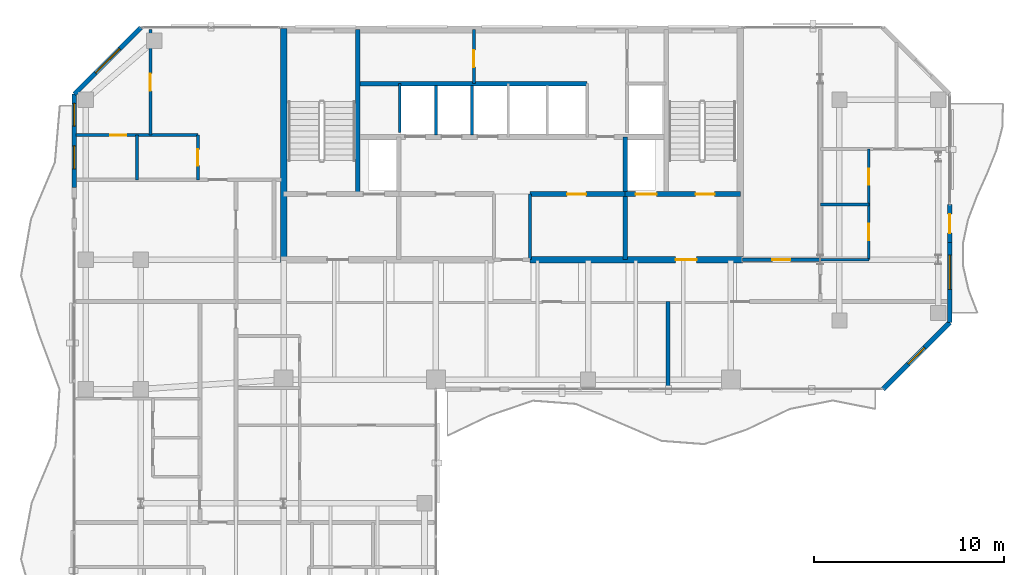
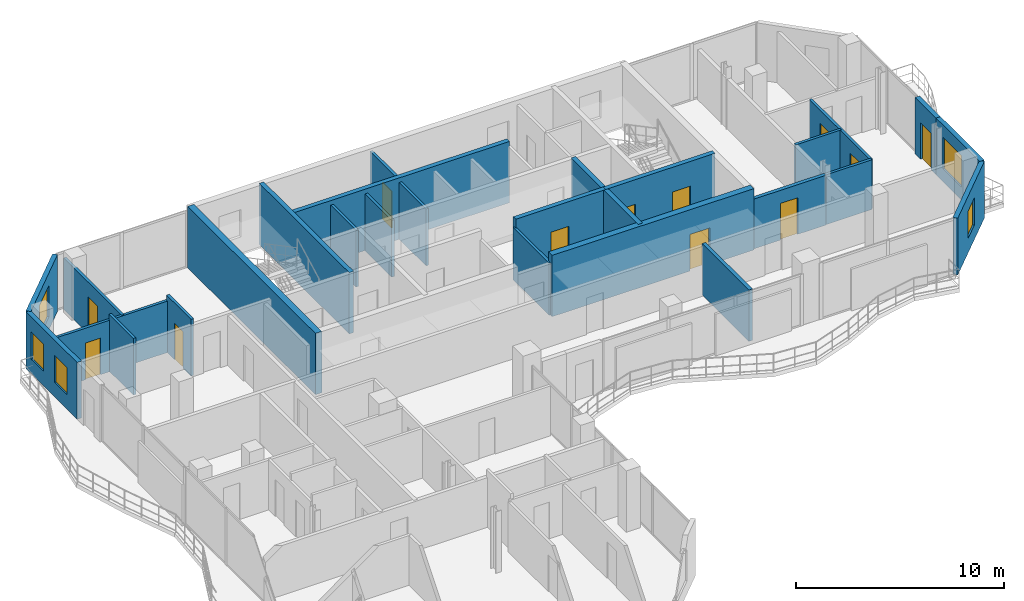
# One storey, part 19 of 23: 26 walls, 12 doors, 5 windows, 17 openings.
"""IFC4 building model written with IfcOpenShell, lengths in metres."""

from ifc_helpers import new_model, si_unit, direction, frame, frame_2d, origin, place, context, subcontext, project, spatial, rectangle, extrude, material, layer, layer_set, type_object, element, fill, save


model = new_model("IFC4")

# Units and contexts
model_context = context("Model", 3, precision=1e-05, world=origin(), true_north=direction((0.0, 1.0)))
body_context = subcontext(model_context, "Body", "Model", "MODEL_VIEW")
ifc_project = project(units=[si_unit("LENGTHUNIT", "METRE"), si_unit("AREAUNIT", "SQUARE_METRE"), si_unit("VOLUMEUNIT", "CUBIC_METRE"), si_unit("PLANEANGLEUNIT", "RADIAN"), si_unit("MASSUNIT", "GRAM", prefix="KILO")], contexts=[model_context])

# Site, building, storey
site_placement = place(None, origin())
site = spatial("IfcSite", under=ifc_project, at=site_placement, CompositionType="ELEMENT")
building_placement = place(site_placement, origin())
building = spatial("IfcBuilding", under=site, at=building_placement, Name="Catumbela Crestline Tower", CompositionType="ELEMENT")
storey_placement = place(building_placement, frame((0.0, 0.0, 168.6)))
storey = spatial("IfcBuildingStorey", under=building, at=storey_placement, Name="L43", CompositionType="ELEMENT", Elevation=168.6)

# Walls
ifc_material_1 = material(Name="Concrete C50/60", Category="concrete")
ifc_layer_1 = layer(ifc_material_1, 0.25, Name="Concrete C50/60")
ifc_layer_set_1 = layer_set([ifc_layer_1], Name="Concrete C50/60")
wall_type_1 = type_object("IfcWallType", Name="CW-250D", PredefinedType="SHEAR", material=ifc_layer_set_1)
wall_1_placement = place(storey_placement, frame((19.9, 34.25, 0.0), z_axis=(0.0, 0.0, 1.0), x_axis=(0.0, 1.0, 0.0)))
element("IfcWall", 1, at=wall_1_placement, inside=storey, type_object=wall_type_1, Name="L43 Structural Core Shear Wall WWEB", PredefinedType="SHEAR", context=body_context, shape_type="SweptSolid", body=[
    extrude(rectangle(XDim=8.65, YDim=0.25, at=frame_2d((4.325, 0.0))), origin(), (0.0, 0.0, 1.0), 3.6),
])
wall_2_placement = place(storey_placement, frame((33.95, 30.8, 0.0), z_axis=(0.0, 0.0, 1.0), x_axis=(0.0, 1.0, 0.0)))
element("IfcWall", 2, at=wall_2_placement, inside=storey, type_object=wall_type_1, Name="L43 Structural Core Shear Wall FFE", PredefinedType="SHEAR", context=body_context, shape_type="SweptSolid", body=[
    extrude(rectangle(XDim=6.45, YDim=0.25, at=frame_2d((3.225, 0.0))), origin(), (0.0, 0.0, 1.0), 3.6),
])

# Wall, openings, doors
wall_3_placement = place(storey_placement, frame((33.95, 34.25, 0.0), z_axis=(0.0, 0.0, 1.0), x_axis=(1.0, 0.0, 0.0)))
wall_3 = element("IfcWall", 3, at=wall_3_placement, inside=storey, type_object=wall_type_1, Name="L43 Structural Core Shear Wall ST2S", PredefinedType="SHEAR", context=body_context, shape_type="SweptSolid", body=[
    extrude(rectangle(XDim=6.05, YDim=0.25, at=frame_2d((3.025, 0.0))), origin(), (0.0, 0.0, 1.0), 3.6),
])
opening_1_placement = place(wall_3_placement, frame((3.7, 0.0, 0.0)))
opening_1 = element("IfcOpeningElement", 4, at=opening_1_placement, cuts=wall_3, Name="Opening DF9-100", PredefinedType="OPENING", context=body_context, shape_type="SweptSolid", body=[
    extrude(rectangle(XDim=1.0, YDim=2.15, at=frame_2d((0.5, 1.075))), frame((0.0, 0.135, 0.0), z_axis=(0.0, -1.0, 0.0), x_axis=(1.0, 0.0, 0.0)), (0.0, 0.0, 1.0), 0.27),
])
opening_2_placement = place(wall_3_placement, frame((0.55, 0.0, 0.0)))
opening_2 = element("IfcOpeningElement", 5, at=opening_2_placement, cuts=wall_3, Name="Opening LD-110", PredefinedType="OPENING", context=body_context, shape_type="SweptSolid", body=[
    extrude(rectangle(XDim=1.1, YDim=2.15, at=frame_2d((0.55, 1.075))), frame((0.0, 0.135, 0.0), z_axis=(0.0, -1.0, 0.0), x_axis=(1.0, 0.0, 0.0)), (0.0, 0.0, 1.0), 0.27),
])
ifc_material_2 = material(Name="Stainless steel EN 1.4401", Category="steel")
door_type_1 = type_object("IfcDoorType", Name="DF9-100", OperationType="NOTDEFINED", PredefinedType="DOOR", material=ifc_material_2)
door_1_placement = place(opening_1_placement, origin())
door_1 = element("IfcDoor", 6, at=door_1_placement, inside=storey, type_object=door_type_1, Name="L43 Interior Door DR-L43-ST02", OperationType="SINGLE_SWING_RIGHT", OverallHeight=2.15, OverallWidth=1.0, PredefinedType="DOOR", context=body_context, shape_type="SweptSolid", body=[
    extrude(rectangle(XDim=1.0, YDim=2.15, at=frame_2d((0.5, 1.075))), frame((0.0, 0.025, 0.0), z_axis=(0.0, -1.0, 0.0), x_axis=(1.0, 0.0, 0.0)), (0.0, 0.0, 1.0), 0.05),
])
fill(opening_1, door_1)
door_type_2 = type_object("IfcDoorType", Name="LD-110", OperationType="NOTDEFINED", PredefinedType="DOOR", material=ifc_material_2)
door_2_placement = place(opening_2_placement, origin())
door_2 = element("IfcDoor", 7, at=door_2_placement, inside=storey, type_object=door_type_2, Name="L43 Lift Landing Sliding Door FL-02", OperationType="DOUBLE_DOOR_SLIDING", OverallHeight=2.15, OverallWidth=1.1, PredefinedType="DOOR", context=body_context, shape_type="SweptSolid", body=[
    extrude(rectangle(XDim=1.1, YDim=2.15, at=frame_2d((0.55, 1.075))), frame((0.0, 0.025, 0.0), z_axis=(0.0, -1.0, 0.0), x_axis=(1.0, 0.0, 0.0)), (0.0, 0.0, 1.0), 0.05),
])
fill(opening_2, door_2)

# Wall, opening, door
wall_4_placement = place(storey_placement, frame((28.95, 34.25, 0.0), z_axis=(0.0, 0.0, 1.0), x_axis=(1.0, 0.0, 0.0)))
wall_4 = element("IfcWall", 8, at=wall_4_placement, inside=storey, type_object=wall_type_1, Name="L43 Structural Core Shear Wall LIFTS-E", PredefinedType="SHEAR", context=body_context, shape_type="SweptSolid", body=[
    extrude(rectangle(XDim=5.0, YDim=0.25, at=frame_2d((2.5, 0.0))), origin(), (0.0, 0.0, 1.0), 3.6),
])
opening_3_placement = place(wall_4_placement, frame((1.95, 0.0, 0.0)))
opening_3 = element("IfcOpeningElement", 9, at=opening_3_placement, cuts=wall_4, Name="Opening DF9-100", PredefinedType="OPENING", context=body_context, shape_type="SweptSolid", body=[
    extrude(rectangle(XDim=1.0, YDim=2.15, at=frame_2d((0.5, 1.075))), frame((0.0, 0.135, 0.0), z_axis=(0.0, -1.0, 0.0), x_axis=(1.0, 0.0, 0.0)), (0.0, 0.0, 1.0), 0.27),
])
door_3_placement = place(opening_3_placement, origin())
door_3 = element("IfcDoor", 10, at=door_3_placement, inside=storey, type_object=door_type_1, Name="L43 Interior Door DR-L43-RECL2", OperationType="SINGLE_SWING_RIGHT", OverallHeight=2.15, OverallWidth=1.0, PredefinedType="DOOR", context=body_context, shape_type="SweptSolid", body=[
    extrude(rectangle(XDim=1.0, YDim=2.15, at=frame_2d((0.5, 1.075))), frame((0.0, 0.025, 0.0), z_axis=(0.0, -1.0, 0.0), x_axis=(1.0, 0.0, 0.0)), (0.0, 0.0, 1.0), 0.05),
])
fill(opening_3, door_3)

# Walls
wall_5_placement = place(storey_placement, frame((19.9, 40.05, 0.0), z_axis=(0.0, 0.0, 1.0), x_axis=(1.0, 0.0, 0.0)))
element("IfcWall", 11, at=wall_5_placement, inside=storey, type_object=wall_type_1, Name="L43 Structural Core Shear Wall COREN", PredefinedType="SHEAR", context=body_context, shape_type="SweptSolid", body=[
    extrude(rectangle(XDim=12.05, YDim=0.25, at=frame_2d((6.025, 0.0))), origin(), (0.0, 0.0, 1.0), 3.6),
])
ifc_layer_2 = layer(ifc_material_1, 0.35, Name="Concrete C50/60")
ifc_layer_set_2 = layer_set([ifc_layer_2], Name="Concrete C50/60")
wall_type_2 = type_object("IfcWallType", Name="CW-350B", PredefinedType="SHEAR", material=ifc_layer_set_2)
wall_6_placement = place(storey_placement, frame((16.0, 30.65, 0.0), z_axis=(0.0, 0.0, 1.0), x_axis=(0.0, 1.0, 0.0)))
element("IfcWall", 12, at=wall_6_placement, inside=storey, type_object=wall_type_2, Name="L43 Structural Core Shear Wall W", PredefinedType="SHEAR", context=body_context, shape_type="SweptSolid", body=[
    extrude(rectangle(XDim=12.3, YDim=0.35, at=frame_2d((6.15, 0.0))), origin(), (0.0, 0.0, 1.0), 3.6),
])

# Wall, opening, door
wall_7_placement = place(storey_placement, frame((28.95, 30.8, 0.0), z_axis=(0.0, 0.0, 1.0), x_axis=(1.0, 0.0, 0.0)))
wall_7 = element("IfcWall", 13, at=wall_7_placement, inside=storey, type_object=wall_type_2, Name="L43 Structural Core Shear Wall SE", PredefinedType="SHEAR", context=body_context, shape_type="SweptSolid", body=[
    extrude(rectangle(XDim=11.2, YDim=0.35, at=frame_2d((5.6, 0.0))), origin(), (0.0, 0.0, 1.0), 3.6),
])
opening_4_placement = place(wall_7_placement, frame((7.65, 0.0, 0.0)))
opening_4 = element("IfcOpeningElement", 14, at=opening_4_placement, cuts=wall_7, Name="Opening DF9-110", PredefinedType="OPENING", context=body_context, shape_type="SweptSolid", body=[
    extrude(rectangle(XDim=1.1, YDim=2.15, at=frame_2d((0.55, 1.075))), frame((0.0, 0.185, 0.0), z_axis=(0.0, -1.0, 0.0), x_axis=(1.0, 0.0, 0.0)), (0.0, 0.0, 1.0), 0.37),
])
door_type_3 = type_object("IfcDoorType", Name="DF9-110", OperationType="NOTDEFINED", PredefinedType="DOOR", material=ifc_material_2)
door_4_placement = place(opening_4_placement, origin())
door_4 = element("IfcDoor", 15, at=door_4_placement, inside=storey, type_object=door_type_3, Name="L43 Interior Door DR-L43-FFE-S", OperationType="SINGLE_SWING_RIGHT", OverallHeight=2.15, OverallWidth=1.1, PredefinedType="DOOR", context=body_context, shape_type="SweptSolid", body=[
    extrude(rectangle(XDim=1.1, YDim=2.15, at=frame_2d((0.55, 1.075))), frame((0.0, 0.025, 0.0), z_axis=(0.0, -1.0, 0.0), x_axis=(1.0, 0.0, 0.0)), (0.0, 0.0, 1.0), 0.05),
])
fill(opening_4, door_4)

ifc_material_3 = material(Name="Acoustic gypsum and mineral-wool partition")
ifc_layer_3 = layer(ifc_material_3, 0.2, Name="Acoustic gypsum and mineral-wool partition")
ifc_layer_set_3 = layer_set([ifc_layer_3], Name="Acoustic gypsum and mineral-wool partition")
wall_type_3 = type_object("IfcWallType", Name="WC-200", PredefinedType="PARTITIONING", material=ifc_layer_set_3)
wall_8_placement = place(storey_placement, frame((40.1, 30.8, 0.0), z_axis=(0.0, 0.0, 1.0), x_axis=(1.0, 0.0, 0.0)))
wall_8 = element("IfcWall", 16, at=wall_8_placement, inside=storey, type_object=wall_type_3, Name="L43 Interior Partition PW-L43-NERM-ENT", PredefinedType="PARTITIONING", context=body_context, shape_type="SweptSolid", body=[
    extrude(rectangle(XDim=4.1, YDim=0.2, at=frame_2d((2.05, 0.0))), origin(), (0.0, 0.0, 1.0), 2.92),
])
opening_5_placement = place(wall_8_placement, frame((1.575, 0.0, 0.0)))
opening_5 = element("IfcOpeningElement", 17, at=opening_5_placement, cuts=wall_8, Name="Opening DF6-095", PredefinedType="OPENING", context=body_context, shape_type="SweptSolid", body=[
    extrude(rectangle(XDim=0.95, YDim=2.15, at=frame_2d((0.475, 1.075))), frame((0.0, 0.11, 0.0), z_axis=(0.0, -1.0, 0.0), x_axis=(1.0, 0.0, 0.0)), (0.0, 0.0, 1.0), 0.22),
])
ifc_material_4 = material(Name="Aluminium alloy AW-6060-T66", Category="aluminium")
door_type_4 = type_object("IfcDoorType", Name="DF6-095", OperationType="NOTDEFINED", PredefinedType="DOOR", material=ifc_material_4)
door_5_placement = place(opening_5_placement, origin())
door_5 = element("IfcDoor", 18, at=door_5_placement, inside=storey, type_object=door_type_4, Name="L43 Interior Door DR-L43-NERM-ENT", OperationType="SINGLE_SWING_LEFT", OverallHeight=2.15, OverallWidth=0.95, PredefinedType="DOOR", context=body_context, shape_type="SweptSolid", body=[
    extrude(rectangle(XDim=0.95, YDim=2.15, at=frame_2d((0.475, 1.075))), frame((0.0, 0.025, 0.0), z_axis=(0.0, -1.0, 0.0), x_axis=(1.0, 0.0, 0.0)), (0.0, 0.0, 1.0), 0.05),
])
fill(opening_5, door_5)

# Wall, opening, window
ifc_material_5 = material(Name="Angolan grey-ochre granite", Category="masonry")
ifc_layer_4 = layer(ifc_material_5, 0.25, Name="Angolan grey-ochre granite")
ifc_layer_set_4 = layer_set([ifc_layer_4], Name="Angolan grey-ochre granite")
wall_type_4 = type_object("IfcWallType", Name="WE-250", PredefinedType="STANDARD", material=ifc_layer_set_4)
wall_9_placement = place(storey_placement, frame((47.5, 24.0, 0.0), z_axis=(0.0, 0.0, 1.0), x_axis=(0.707106781187, 0.707106781187, 0.0)))
wall_9 = element("IfcWall", 19, at=wall_9_placement, inside=storey, type_object=wall_type_4, Name="L43 Granite Punched Window Wall 4-1", PredefinedType="STANDARD", context=body_context, shape_type="SweptSolid", body=[
    extrude(rectangle(XDim=4.9497, YDim=0.25, at=frame_2d((2.4748, 0.0))), origin(), (0.0, 0.0, 1.0), 3.33),
])
opening_6_placement = place(wall_9_placement, frame((1.8748, 0.0, 0.85)))
opening_6 = element("IfcOpeningElement", 20, at=opening_6_placement, cuts=wall_9, Name="Opening WN-02", PredefinedType="OPENING", context=body_context, shape_type="SweptSolid", body=[
    extrude(rectangle(XDim=1.2, YDim=1.6, at=frame_2d((0.6, 0.8))), frame((0.0, 0.135, 0.0), z_axis=(0.0, -1.0, 0.0), x_axis=(1.0, 0.0, 0.0)), (0.0, 0.0, 1.0), 0.27),
])
ifc_material_6 = material(Name="Low-E laminated solar-control double glazing", Category="glass")
window_type_1 = type_object("IfcWindowType", Name="WO-1200", PartitioningType="SINGLE_PANEL", PredefinedType="WINDOW", material=ifc_material_6)
window_1_placement = place(opening_6_placement, origin())
window_1 = element("IfcWindow", 21, at=window_1_placement, inside=storey, type_object=window_type_1, Name="L43 Facade Vision Window 258", OverallHeight=1.6, OverallWidth=1.2, PartitioningType="SINGLE_PANEL", PredefinedType="WINDOW", context=body_context, shape_type="SweptSolid", body=[
    extrude(rectangle(XDim=1.2, YDim=1.6, at=frame_2d((0.6, 0.8))), frame((0.0, 0.03, 0.0), z_axis=(0.0, -1.0, 0.0), x_axis=(1.0, 0.0, 0.0)), (0.0, 0.0, 1.0), 0.06),
])
fill(opening_6, window_1)

# Wall, opening, door
wall_10_placement = place(storey_placement, frame((51.0, 31.7, 0.0), z_axis=(0.0, 0.0, 1.0), x_axis=(0.0, 1.0, 0.0)))
wall_10 = element("IfcWall", 22, at=wall_10_placement, inside=storey, type_object=wall_type_4, Name="L43 Exterior Threshold Portal Wall DR-L43-WBAL-2", PredefinedType="STANDARD", context=body_context, shape_type="SweptSolid", body=[
    extrude(rectangle(XDim=2.0, YDim=0.25, at=frame_2d((1.0, 0.0))), origin(), (0.0, 0.0, 1.0), 3.33),
])
opening_7_placement = place(wall_10_placement, frame((0.5, 0.0, 0.0)))
opening_7 = element("IfcOpeningElement", 23, at=opening_7_placement, cuts=wall_10, Name="Opening DB-L43-2", PredefinedType="OPENING", context=body_context, shape_type="SweptSolid", body=[
    extrude(rectangle(XDim=1.0, YDim=2.15, at=frame_2d((0.5, 1.075))), frame((0.0, 0.135, 0.0), z_axis=(0.0, -1.0, 0.0), x_axis=(1.0, 0.0, 0.0)), (0.0, 0.0, 1.0), 0.27),
])
door_type_5 = type_object("IfcDoorType", Name="DB-1000", OperationType="NOTDEFINED", PredefinedType="DOOR", material=ifc_material_4)
door_6_placement = place(opening_7_placement, origin())
door_6 = element("IfcDoor", 24, at=door_6_placement, inside=storey, type_object=door_type_5, Name="L43 Wave Balcony Terrace Door 2", OperationType="SINGLE_SWING_RIGHT", OverallHeight=2.15, OverallWidth=1.0, PredefinedType="DOOR", context=body_context, shape_type="SweptSolid", body=[
    extrude(rectangle(XDim=1.0, YDim=2.15, at=frame_2d((0.5, 1.075))), frame((0.0, 0.025, 0.0), z_axis=(0.0, -1.0, 0.0), x_axis=(1.0, 0.0, 0.0)), (0.0, 0.0, 1.0), 0.05),
])
fill(opening_7, door_6)

# Wall, opening, window
wall_11_placement = place(storey_placement, frame((51.0, 27.5, 0.0), z_axis=(0.0, 0.0, 1.0), x_axis=(0.0, 1.0, 0.0)))
wall_11 = element("IfcWall", 25, at=wall_11_placement, inside=storey, type_object=wall_type_4, Name="L43 Granite Punched Window Wall 5-1", PredefinedType="STANDARD", context=body_context, shape_type="SweptSolid", body=[
    extrude(rectangle(XDim=4.2, YDim=0.25, at=frame_2d((2.1, 0.0))), origin(), (0.0, 0.0, 1.0), 3.33),
])
opening_8_placement = place(wall_11_placement, frame((1.74, 0.0, 0.75)))
opening_8 = element("IfcOpeningElement", 26, at=opening_8_placement, cuts=wall_11, Name="Opening WN-01", PredefinedType="OPENING", context=body_context, shape_type="SweptSolid", body=[
    extrude(rectangle(XDim=1.8, YDim=1.85, at=frame_2d((0.9, 0.925))), frame((0.0, 0.135, 0.0), z_axis=(0.0, -1.0, 0.0), x_axis=(1.0, 0.0, 0.0)), (0.0, 0.0, 1.0), 0.27),
])
window_type_2 = type_object("IfcWindowType", Name="WF-1800", PartitioningType="SINGLE_PANEL", PredefinedType="WINDOW", material=ifc_material_6)
window_2_placement = place(opening_8_placement, origin())
window_2 = element("IfcWindow", 27, at=window_2_placement, inside=storey, type_object=window_type_2, Name="L43 Facade Vision Window 259", OverallHeight=1.85, OverallWidth=1.8, PartitioningType="SINGLE_PANEL", PredefinedType="WINDOW", context=body_context, shape_type="SweptSolid", body=[
    extrude(rectangle(XDim=1.8, YDim=1.85, at=frame_2d((0.9, 0.925))), frame((0.0, 0.03, 0.0), z_axis=(0.0, -1.0, 0.0), x_axis=(1.0, 0.0, 0.0)), (0.0, 0.0, 1.0), 0.06),
])
fill(opening_8, window_2)

wall_12_placement = place(storey_placement, frame((8.5, 43.0, 0.0), z_axis=(0.0, 0.0, 1.0), x_axis=(-0.707106781187, -0.707106781187, 0.0)))
wall_12 = element("IfcWall", 28, at=wall_12_placement, inside=storey, type_object=wall_type_4, Name="L43 Granite Punched Window Wall 8-1", PredefinedType="STANDARD", context=body_context, shape_type="SweptSolid", body=[
    extrude(rectangle(XDim=4.9497, YDim=0.25, at=frame_2d((2.4748, 0.0))), origin(), (0.0, 0.0, 1.0), 3.33),
])
opening_9_placement = place(wall_12_placement, frame((1.5749, 0.0, 0.75)))
opening_9 = element("IfcOpeningElement", 29, at=opening_9_placement, cuts=wall_12, Name="Opening WN-01", PredefinedType="OPENING", context=body_context, shape_type="SweptSolid", body=[
    extrude(rectangle(XDim=1.8, YDim=1.85, at=frame_2d((0.9, 0.925))), frame((0.0, 0.135, 0.0), z_axis=(0.0, -1.0, 0.0), x_axis=(1.0, 0.0, 0.0)), (0.0, 0.0, 1.0), 0.27),
])
window_3_placement = place(opening_9_placement, origin())
window_3 = element("IfcWindow", 30, at=window_3_placement, inside=storey, type_object=window_type_2, Name="L43 Facade Vision Window 261", OverallHeight=1.85, OverallWidth=1.8, PartitioningType="SINGLE_PANEL", PredefinedType="WINDOW", context=body_context, shape_type="SweptSolid", body=[
    extrude(rectangle(XDim=1.8, YDim=1.85, at=frame_2d((0.9, 0.925))), frame((0.0, 0.03, 0.0), z_axis=(0.0, -1.0, 0.0), x_axis=(1.0, 0.0, 0.0)), (0.0, 0.0, 1.0), 0.06),
])
fill(opening_9, window_3)

# Wall, openings, windows
wall_13_placement = place(storey_placement, frame((5.0, 39.5, 0.0), z_axis=(0.0, 0.0, 1.0), x_axis=(0.0, -1.0, 0.0)))
wall_13 = element("IfcWall", 31, at=wall_13_placement, inside=storey, type_object=wall_type_4, Name="L43 Granite Punched Window Wall 9-1", PredefinedType="STANDARD", context=body_context, shape_type="SweptSolid", body=[
    extrude(rectangle(XDim=4.9, YDim=0.25, at=frame_2d((2.45, 0.0))), origin(), (0.0, 0.0, 1.0), 3.33),
])
opening_10_placement = place(wall_13_placement, frame((0.485, 0.0, 0.85)))
opening_10 = element("IfcOpeningElement", 32, at=opening_10_placement, cuts=wall_13, Name="Opening WN-02", PredefinedType="OPENING", context=body_context, shape_type="SweptSolid", body=[
    extrude(rectangle(XDim=1.2, YDim=1.6, at=frame_2d((0.6, 0.8))), frame((0.0, 0.135, 0.0), z_axis=(0.0, -1.0, 0.0), x_axis=(1.0, 0.0, 0.0)), (0.0, 0.0, 1.0), 0.27),
])
opening_11_placement = place(wall_13_placement, frame((2.725, 0.0, 0.85)))
opening_11 = element("IfcOpeningElement", 33, at=opening_11_placement, cuts=wall_13, Name="Opening WN-02", PredefinedType="OPENING", context=body_context, shape_type="SweptSolid", body=[
    extrude(rectangle(XDim=1.2, YDim=1.6, at=frame_2d((0.6, 0.8))), frame((0.0, 0.135, 0.0), z_axis=(0.0, -1.0, 0.0), x_axis=(1.0, 0.0, 0.0)), (0.0, 0.0, 1.0), 0.27),
])
window_4_placement = place(opening_10_placement, origin())
window_4 = element("IfcWindow", 34, at=window_4_placement, inside=storey, type_object=window_type_1, Name="L43 Facade Vision Window 262", OverallHeight=1.6, OverallWidth=1.2, PartitioningType="SINGLE_PANEL", PredefinedType="WINDOW", context=body_context, shape_type="SweptSolid", body=[
    extrude(rectangle(XDim=1.2, YDim=1.6, at=frame_2d((0.6, 0.8))), frame((0.0, 0.03, 0.0), z_axis=(0.0, -1.0, 0.0), x_axis=(1.0, 0.0, 0.0)), (0.0, 0.0, 1.0), 0.06),
])
fill(opening_10, window_4)
window_5_placement = place(opening_11_placement, origin())
window_5 = element("IfcWindow", 35, at=window_5_placement, inside=storey, type_object=window_type_1, Name="L43 Facade Vision Window 263", OverallHeight=1.6, OverallWidth=1.2, PartitioningType="SINGLE_PANEL", PredefinedType="WINDOW", context=body_context, shape_type="SweptSolid", body=[
    extrude(rectangle(XDim=1.2, YDim=1.6, at=frame_2d((0.6, 0.8))), frame((0.0, 0.03, 0.0), z_axis=(0.0, -1.0, 0.0), x_axis=(1.0, 0.0, 0.0)), (0.0, 0.0, 1.0), 0.06),
])
fill(opening_11, window_5)

# Wall, opening, door
ifc_layer_5 = layer(ifc_material_3, 0.15, Name="Acoustic gypsum and mineral-wool partition")
ifc_layer_set_5 = layer_set([ifc_layer_5], Name="Acoustic gypsum and mineral-wool partition")
wall_type_5 = type_object("IfcWallType", Name="WP-150", PredefinedType="PARTITIONING", material=ifc_layer_set_5)
wall_14_placement = place(storey_placement, frame((26.0, 40.05, 0.0), z_axis=(0.0, 0.0, 1.0), x_axis=(0.0, 1.0, 0.0)))
wall_14 = element("IfcWall", 36, at=wall_14_placement, inside=storey, type_object=wall_type_5, Name="L43 Interior Partition PW-L43-CR-WW", PredefinedType="PARTITIONING", context=body_context, shape_type="SweptSolid", body=[
    extrude(rectangle(XDim=2.85, YDim=0.15, at=frame_2d((1.425, 0.0))), origin(), (0.0, 0.0, 1.0), 3.33),
])
opening_12_placement = place(wall_14_placement, frame((0.865, 0.0, 0.0)))
opening_12 = element("IfcOpeningElement", 37, at=opening_12_placement, cuts=wall_14, Name="Opening DF9-090", PredefinedType="OPENING", context=body_context, shape_type="SweptSolid", body=[
    extrude(rectangle(XDim=0.9, YDim=2.15, at=frame_2d((0.45, 1.075))), frame((0.0, 0.085, 0.0), z_axis=(0.0, -1.0, 0.0), x_axis=(1.0, 0.0, 0.0)), (0.0, 0.0, 1.0), 0.17),
])
door_type_6 = type_object("IfcDoorType", Name="DF9-090", OperationType="NOTDEFINED", PredefinedType="DOOR", material=ifc_material_2)
door_7_placement = place(opening_12_placement, origin())
door_7 = element("IfcDoor", 38, at=door_7_placement, inside=storey, type_object=door_type_6, Name="L43 Interior Door DR-L43-CRWEST", OperationType="SINGLE_SWING_LEFT", OverallHeight=2.15, OverallWidth=0.9, PredefinedType="DOOR", context=body_context, shape_type="SweptSolid", body=[
    extrude(rectangle(XDim=0.9, YDim=2.15, at=frame_2d((0.45, 1.075))), frame((0.0, 0.025, 0.0), z_axis=(0.0, -1.0, 0.0), x_axis=(1.0, 0.0, 0.0)), (0.0, 0.0, 1.0), 0.05),
])
fill(opening_12, door_7)

wall_15_placement = place(storey_placement, frame((11.5, 35.0, 0.0), z_axis=(0.0, 0.0, 1.0), x_axis=(0.0, 1.0, 0.0)))
wall_15 = element("IfcWall", 39, at=wall_15_placement, inside=storey, type_object=wall_type_5, Name="L43 Interior Partition PW-L43-NW1-KBE", PredefinedType="PARTITIONING", context=body_context, shape_type="SweptSolid", body=[
    extrude(rectangle(XDim=2.35, YDim=0.15, at=frame_2d((1.175, 0.0))), origin(), (0.0, 0.0, 1.0), 3.33),
])
opening_13_placement = place(wall_15_placement, frame((0.75, 0.0, 0.0)))
opening_13 = element("IfcOpeningElement", 40, at=opening_13_placement, cuts=wall_15, Name="Opening DI-085", PredefinedType="OPENING", context=body_context, shape_type="SweptSolid", body=[
    extrude(rectangle(XDim=0.85, YDim=2.15, at=frame_2d((0.425, 1.075))), frame((0.0, 0.085, 0.0), z_axis=(0.0, -1.0, 0.0), x_axis=(1.0, 0.0, 0.0)), (0.0, 0.0, 1.0), 0.17),
])
door_type_7 = type_object("IfcDoorType", Name="DI-085", OperationType="NOTDEFINED", PredefinedType="DOOR", material=ifc_material_4)
door_8_placement = place(opening_13_placement, origin())
door_8 = element("IfcDoor", 41, at=door_8_placement, inside=storey, type_object=door_type_7, Name="L43 Interior Door DR-L43-NW1-BTH", OperationType="SINGLE_SWING_LEFT", OverallHeight=2.15, OverallWidth=0.85, PredefinedType="DOOR", context=body_context, shape_type="SweptSolid", body=[
    extrude(rectangle(XDim=0.85, YDim=2.15, at=frame_2d((0.425, 1.075))), frame((0.0, 0.025, 0.0), z_axis=(0.0, -1.0, 0.0), x_axis=(1.0, 0.0, 0.0)), (0.0, 0.0, 1.0), 0.05),
])
fill(opening_13, door_8)

# Wall
wall_16_placement = place(storey_placement, frame((8.3, 35.0, 0.0), z_axis=(0.0, 0.0, 1.0), x_axis=(0.0, 1.0, 0.0)))
element("IfcWall", 42, at=wall_16_placement, inside=storey, type_object=wall_type_5, Name="L43 Interior Partition PW-L43-NW1-KBM", PredefinedType="PARTITIONING", context=body_context, shape_type="SweptSolid", body=[
    extrude(rectangle(XDim=2.35, YDim=0.15, at=frame_2d((1.175, 0.0))), origin(), (0.0, 0.0, 1.0), 3.33),
])

# Wall, opening, door
wall_17_placement = place(storey_placement, frame((5.1, 37.35, 0.0), z_axis=(0.0, 0.0, 1.0), x_axis=(1.0, 0.0, 0.0)))
wall_17 = element("IfcWall", 43, at=wall_17_placement, inside=storey, type_object=wall_type_5, Name="L43 Interior Partition PW-L43-NW1-KBD1", PredefinedType="PARTITIONING", context=body_context, shape_type="SweptSolid", body=[
    extrude(rectangle(XDim=6.4, YDim=0.15, at=frame_2d((3.2, 0.0))), origin(), (0.0, 0.0, 1.0), 3.02),
])
opening_14_placement = place(wall_17_placement, frame((1.7795, 0.0, 0.0)))
opening_14 = element("IfcOpeningElement", 44, at=opening_14_placement, cuts=wall_17, Name="Opening DI-085", PredefinedType="OPENING", context=body_context, shape_type="SweptSolid", body=[
    extrude(rectangle(XDim=0.85, YDim=2.15, at=frame_2d((0.425, 1.075))), frame((0.0, 0.085, 0.0), z_axis=(0.0, -1.0, 0.0), x_axis=(1.0, 0.0, 0.0)), (0.0, 0.0, 1.0), 0.17),
])
door_9_placement = place(opening_14_placement, origin())
door_9 = element("IfcDoor", 45, at=door_9_placement, inside=storey, type_object=door_type_7, Name="L43 Interior Door DR-L43-NW1-KIT", OperationType="SINGLE_SWING_LEFT", OverallHeight=2.15, OverallWidth=0.85, PredefinedType="DOOR", context=body_context, shape_type="SweptSolid", body=[
    extrude(rectangle(XDim=0.85, YDim=2.15, at=frame_2d((0.425, 1.075))), frame((0.0, 0.025, 0.0), z_axis=(0.0, -1.0, 0.0), x_axis=(1.0, 0.0, 0.0)), (0.0, 0.0, 1.0), 0.05),
])
fill(opening_14, door_9)

wall_18_placement = place(storey_placement, frame((9.0, 37.35, 0.0), z_axis=(0.0, 0.0, 1.0), x_axis=(0.0, 1.0, 0.0)))
wall_18 = element("IfcWall", 46, at=wall_18_placement, inside=storey, type_object=wall_type_5, Name="L43 Interior Partition PW-L43-NW1-BD1W", PredefinedType="PARTITIONING", context=body_context, shape_type="SweptSolid", body=[
    extrude(rectangle(XDim=5.55, YDim=0.15, at=frame_2d((2.775, 0.0))), origin(), (0.0, 0.0, 1.0), 3.02),
])
opening_15_placement = place(wall_18_placement, frame((2.325, 0.0, 0.0)))
opening_15 = element("IfcOpeningElement", 47, at=opening_15_placement, cuts=wall_18, Name="Opening DI-090", PredefinedType="OPENING", context=body_context, shape_type="SweptSolid", body=[
    extrude(rectangle(XDim=0.9, YDim=2.15, at=frame_2d((0.45, 1.075))), frame((0.0, 0.085, 0.0), z_axis=(0.0, -1.0, 0.0), x_axis=(1.0, 0.0, 0.0)), (0.0, 0.0, 1.0), 0.17),
])
door_type_8 = type_object("IfcDoorType", Name="DI-090", OperationType="NOTDEFINED", PredefinedType="DOOR", material=ifc_material_4)
door_10_placement = place(opening_15_placement, origin())
door_10 = element("IfcDoor", 48, at=door_10_placement, inside=storey, type_object=door_type_8, Name="L43 Interior Door DR-L43-NW1-BD1", OperationType="SINGLE_SWING_LEFT", OverallHeight=2.15, OverallWidth=0.9, PredefinedType="DOOR", context=body_context, shape_type="SweptSolid", body=[
    extrude(rectangle(XDim=0.9, YDim=2.15, at=frame_2d((0.45, 1.075))), frame((0.0, 0.025, 0.0), z_axis=(0.0, -1.0, 0.0), x_axis=(1.0, 0.0, 0.0)), (0.0, 0.0, 1.0), 0.05),
])
fill(opening_15, door_10)

# Walls
for number, where, z_axis, x_axis, name in (
    (49, (44.2, 30.8, 0.0), (0.0, 0.0, 1.0), (1.0, 0.0, 0.0), "L43 Interior Partition PW-L43-NE1-KBS"),
    (50, (44.2, 33.704, 0.0), (0.0, 0.0, 1.0), (1.0, 0.0, 0.0), "L43 Interior Partition PW-L43-NE1-KBM"),
):
    element("IfcWall", number, at=place(storey_placement, frame(where, z_axis=z_axis, x_axis=x_axis)), inside=storey, type_object=wall_type_5, Name=name, PredefinedType="PARTITIONING", context=body_context, shape_type="SweptSolid", body=[
        extrude(rectangle(XDim=2.546, YDim=0.15, at=frame_2d((1.273, 0.0))), origin(), (0.0, 0.0, 1.0), 2.92),
    ])

# Wall, openings, doors
wall_19_placement = place(storey_placement, frame((46.746, 30.8, 0.0), z_axis=(0.0, 0.0, 1.0), x_axis=(0.0, 1.0, 0.0)))
wall_19 = element("IfcWall", 51, at=wall_19_placement, inside=storey, type_object=wall_type_5, Name="L43 Interior Partition PW-L43-NE1-LK", PredefinedType="PARTITIONING", context=body_context, shape_type="SweptSolid", body=[
    extrude(rectangle(XDim=5.808, YDim=0.15, at=frame_2d((2.904, 0.0))), origin(), (0.0, 0.0, 1.0), 2.92),
])
opening_16_placement = place(wall_19_placement, frame((1.027, 0.0, 0.0)))
opening_16 = element("IfcOpeningElement", 52, at=opening_16_placement, cuts=wall_19, Name="Opening DI-085", PredefinedType="OPENING", context=body_context, shape_type="SweptSolid", body=[
    extrude(rectangle(XDim=0.85, YDim=2.15, at=frame_2d((0.425, 1.075))), frame((0.0, 0.085, 0.0), z_axis=(0.0, -1.0, 0.0), x_axis=(1.0, 0.0, 0.0)), (0.0, 0.0, 1.0), 0.17),
])
opening_17_placement = place(wall_19_placement, frame((3.931, 0.0, 0.0)))
opening_17 = element("IfcOpeningElement", 53, at=opening_17_placement, cuts=wall_19, Name="Opening DI-085", PredefinedType="OPENING", context=body_context, shape_type="SweptSolid", body=[
    extrude(rectangle(XDim=0.85, YDim=2.15, at=frame_2d((0.425, 1.075))), frame((0.0, 0.085, 0.0), z_axis=(0.0, -1.0, 0.0), x_axis=(1.0, 0.0, 0.0)), (0.0, 0.0, 1.0), 0.17),
])
door_11_placement = place(opening_16_placement, origin())
door_11 = element("IfcDoor", 54, at=door_11_placement, inside=storey, type_object=door_type_7, Name="L43 Interior Door DR-L43-NE1-KIT", OperationType="SINGLE_SWING_LEFT", OverallHeight=2.15, OverallWidth=0.85, PredefinedType="DOOR", context=body_context, shape_type="SweptSolid", body=[
    extrude(rectangle(XDim=0.85, YDim=2.15, at=frame_2d((0.425, 1.075))), frame((0.0, 0.025, 0.0), z_axis=(0.0, -1.0, 0.0), x_axis=(1.0, 0.0, 0.0)), (0.0, 0.0, 1.0), 0.05),
])
fill(opening_16, door_11)
door_12_placement = place(opening_17_placement, origin())
door_12 = element("IfcDoor", 55, at=door_12_placement, inside=storey, type_object=door_type_7, Name="L43 Interior Door DR-L43-NE1-BTH", OperationType="SINGLE_SWING_RIGHT", OverallHeight=2.15, OverallWidth=0.85, PredefinedType="DOOR", context=body_context, shape_type="SweptSolid", body=[
    extrude(rectangle(XDim=0.85, YDim=2.15, at=frame_2d((0.425, 1.075))), frame((0.0, 0.025, 0.0), z_axis=(0.0, -1.0, 0.0), x_axis=(1.0, 0.0, 0.0)), (0.0, 0.0, 1.0), 0.05),
])
fill(opening_17, door_12)

# Walls
ifc_layer_6 = layer(ifc_material_3, 0.2, Name="Acoustic gypsum and mineral-wool partition")
ifc_layer_set_6 = layer_set([ifc_layer_6], Name="Acoustic gypsum and mineral-wool partition")
wall_type_6 = type_object("IfcWallType", Name="WY-200", PredefinedType="PARTITIONING", material=ifc_layer_set_6)
wall_20_placement = place(storey_placement, frame((36.2, 24.1, 0.0), z_axis=(0.0, 0.0, 1.0), x_axis=(0.0, 1.0, 0.0)))
element("IfcWall", 56, at=wall_20_placement, inside=storey, type_object=wall_type_6, Name="L43 Interior Partition PW-L43-RSPP-2", PredefinedType="PARTITIONING", context=body_context, shape_type="SweptSolid", body=[
    extrude(rectangle(XDim=4.5, YDim=0.2, at=frame_2d((2.25, 0.0))), origin(), (0.0, 0.0, 1.0), 3.02),
])
ifc_layer_7 = layer(ifc_material_3, 0.15, Name="Acoustic gypsum and mineral-wool partition")
ifc_layer_set_7 = layer_set([ifc_layer_7], Name="Acoustic gypsum and mineral-wool partition")
wall_type_7 = type_object("IfcWallType", Name="WS-150", PredefinedType="PLUMBINGWALL", material=ifc_layer_set_7)
wall_21_placement = place(storey_placement, frame((28.95, 30.8, 0.0), z_axis=(0.0, 0.0, 1.0), x_axis=(0.0, 1.0, 0.0)))
element("IfcWall", 57, at=wall_21_placement, inside=storey, type_object=wall_type_7, Name="L43 Interior Partition PW-L43-THRE", PredefinedType="PLUMBINGWALL", context=body_context, shape_type="SweptSolid", body=[
    extrude(rectangle(XDim=3.45, YDim=0.15, at=frame_2d((1.725, 0.0))), origin(), (0.0, 0.0, 1.0), 3.07),
])
wall_22_placement = place(storey_placement, frame((22.1, 37.4897, 0.0), z_axis=(0.0, 0.0, 1.0), x_axis=(0.0, 1.0, 0.0)))
element("IfcWall", 58, at=wall_22_placement, inside=storey, type_object=wall_type_7, Name="L43 Interior Partition PW-L43-SHH0", PredefinedType="PLUMBINGWALL", context=body_context, shape_type="SweptSolid", body=[
    extrude(rectangle(XDim=2.5603, YDim=0.15, at=frame_2d((1.2801, 0.0))), origin(), (0.0, 0.0, 1.0), 3.33),
])
for number, where, z_axis, x_axis, name in (
    (59, (24.0, 37.35, 0.0), (0.0, 0.0, 1.0), (0.0, 1.0, 0.0), "L43 Interior Partition PW-L43-SHH1"),
    (60, (25.9, 37.35, 0.0), (0.0, 0.0, 1.0), (0.0, 1.0, 0.0), "L43 Interior Partition PW-L43-SHH2"),
):
    element("IfcWall", number, at=place(storey_placement, frame(where, z_axis=z_axis, x_axis=x_axis)), inside=storey, type_object=wall_type_7, Name=name, PredefinedType="PLUMBINGWALL", context=body_context, shape_type="SweptSolid", body=[
        extrude(rectangle(XDim=2.6, YDim=0.15, at=frame_2d((1.3, 0.0))), origin(), (0.0, 0.0, 1.0), 3.33),
    ])

save(model, "model.ifc")
